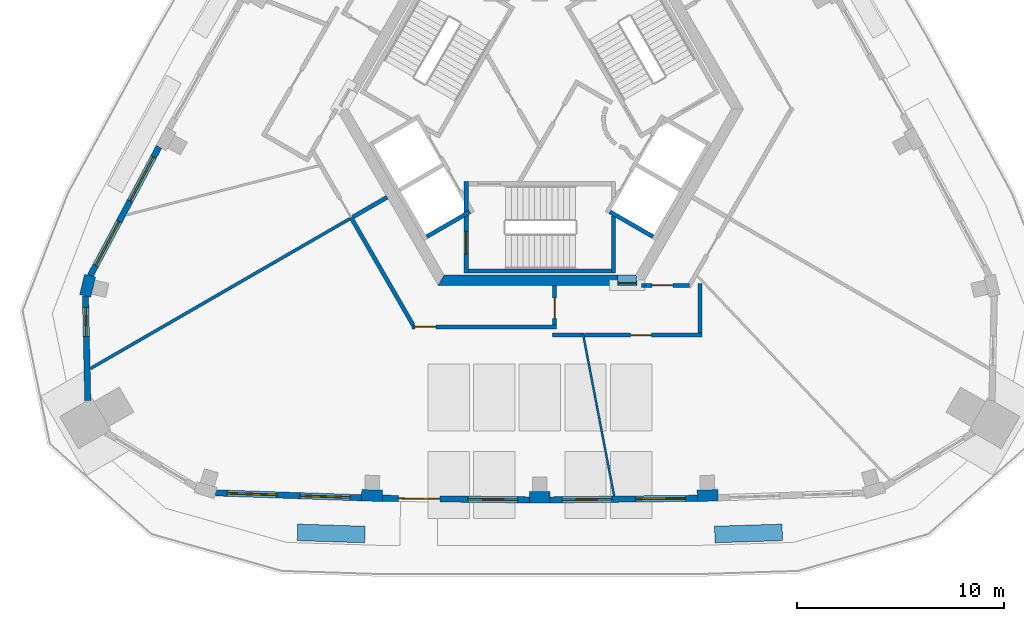
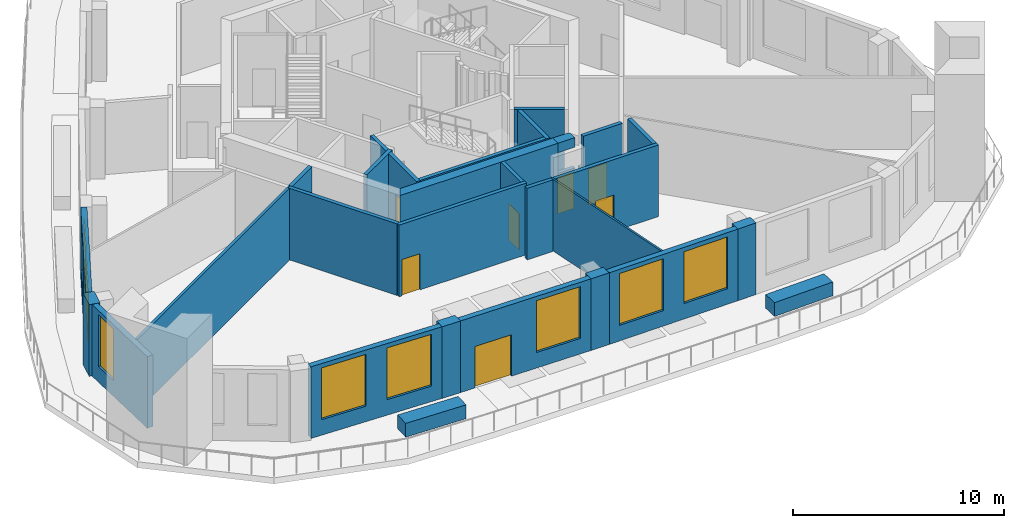
# One storey, part 2 of 9: 30 walls, 8 windows, 7 doors, 15 openings.
"""IFC4 building model written with IfcOpenShell, lengths in metres."""

from ifc_helpers import new_model, si_unit, direction, frame, frame_2d, origin, place, context, subcontext, project, spatial, polyline, rectangle, outline, extrude, material, layer, layer_set, type_object, element, fill, save


model = new_model("IFC4")

# Units and contexts
model_context = context("Model", 3, precision=1e-05, world=origin(), true_north=direction((0.0, 1.0)))
body_context = subcontext(model_context, "Body", "Model", "MODEL_VIEW")
ifc_project = project(units=[si_unit("LENGTHUNIT", "METRE"), si_unit("AREAUNIT", "SQUARE_METRE"), si_unit("VOLUMEUNIT", "CUBIC_METRE"), si_unit("PLANEANGLEUNIT", "RADIAN"), si_unit("MASSUNIT", "GRAM", prefix="KILO")], contexts=[model_context])

# Site, building, storey
site_placement = place(None, origin())
site = spatial("IfcSite", under=ifc_project, at=site_placement, CompositionType="ELEMENT")
building_placement = place(site_placement, origin())
building = spatial("IfcBuilding", under=site, at=building_placement, Name="Entoto Arch Interchange Tower", CompositionType="ELEMENT")
storey_placement = place(building_placement, frame((0.0, 0.0, 331.39990234375)))
storey = spatial("IfcBuildingStorey", under=building, at=storey_placement, Name="L78", CompositionType="ELEMENT", Elevation=331.39990234375)

# Wall, opening, door
ifc_material_1 = material(Name="Reinforced concrete C40/50", Category="concrete")
ifc_layer_1 = layer(ifc_material_1, 0.199951171875)
ifc_layer_set_1 = layer_set([ifc_layer_1], Name="Reinforced concrete C40/50")
wall_type_1 = type_object("IfcWallType", Name="CORE GAP INFILL WALL", PredefinedType="PARTITIONING", material=ifc_layer_set_1)
wall_1_placement = place(storey_placement, frame((3.75, -5.89990234375, 0.0), z_axis=(0.0, 0.0, 1.0), x_axis=(1.0, 0.0, 0.0)))
wall_1 = element("IfcWall", 1, at=wall_1_placement, inside=storey, type_object=wall_type_1, Name="wall:L78:gap1", PredefinedType="PARTITIONING", context=body_context, shape_type="SweptSolid", body=[
    extrude(rectangle(XDim=0.926025390625, YDim=0.199951171875, at=frame_2d((0.462890625, 0.0))), origin(), (0.0, 0.0, 1.0), 2.400146484375),
])
opening_1_placement = place(wall_1_placement, frame((0.01708984375, 0.0, 0.0)))
opening_1 = element("IfcOpeningElement", 2, at=opening_1_placement, cuts=wall_1, Name="Opening L78-D91", PredefinedType="OPENING", context=body_context, shape_type="SweptSolid", body=[
    extrude(rectangle(XDim=0.89990234375, YDim=2.10009765625, at=frame_2d((0.449951171875, 1.050048828125))), frame((0.0, 0.10986328125, 0.0), z_axis=(0.0, -1.0, 0.0), x_axis=(1.0, 0.0, 0.0)), (0.0, 0.0, 1.0), 0.219970703125),
])
ifc_material_2 = material(Name="Fire-rated Steel S235 door and frame", Category="steel")
door_type_1 = type_object("IfcDoorType", Name="DOOR FD-09 900x2100", OperationType="SINGLE_SWING_LEFT", PredefinedType="DOOR", material=ifc_material_2)
door_1_placement = place(opening_1_placement, origin())
door_1 = element("IfcDoor", 3, at=door_1_placement, inside=storey, type_object=door_type_1, Name="door:L78:gap1", OperationType="SINGLE_SWING_LEFT", OverallHeight=2.10009765625, OverallWidth=0.89990234375, PredefinedType="DOOR", context=body_context, shape_type="SweptSolid", body=[
    extrude(rectangle(XDim=0.89990234375, YDim=2.10009765625, at=frame_2d((0.449951171875, 1.050048828125))), frame((0.0, 0.02490234375, 0.0), z_axis=(0.0, -1.0, 0.0), x_axis=(1.0, 0.0, 0.0)), (0.0, 0.0, 1.0), 0.050048828125),
])
fill(opening_1, door_1)

# Walls
ifc_material_3 = material(Name="Concrete C40/50", Category="concrete")
ifc_layer_2 = layer(ifc_material_3, 0.5)
ifc_layer_set_2 = layer_set([ifc_layer_2], Name="Concrete C40/50")
wall_type_2 = type_object("IfcWallType", Name="Core wall 500 C40/50", PredefinedType="SHEAR", material=ifc_layer_set_2)
wall_2_placement = place(storey_placement, frame((0.0, 0.0, -0.449951171875)))
element("IfcWall", 4, at=wall_2_placement, inside=storey, type_object=wall_type_2, Name="Core wall S L78", PredefinedType="SHEAR", context=body_context, shape_type="SweptSolid", body=[
    extrude(outline(polyline([(3.75, -6.0), (3.75, -5.5), (-4.618896484375, -5.5), (-4.906982421875, -6.0), (3.75, -6.0)])), origin(), (0.0, 0.0, 1.0), 4.60009765625),
])
wall_3_placement = place(storey_placement, frame((0.0, 0.0, 3.60009765625)))
element("IfcWall", 5, at=wall_3_placement, inside=storey, type_object=wall_type_2, Name="Core wall lintel S L78", PredefinedType="SHEAR", context=body_context, shape_type="SweptSolid", body=[
    extrude(outline(polyline([(4.676025390625, -6.0), (4.676025390625, -5.60009765625), (4.618896484375, -5.5), (3.75, -5.5), (3.75, -6.0), (4.676025390625, -6.0)])), origin(), (0.0, 0.0, 1.0), 0.550048828125),
])
ifc_layer_3 = layer(ifc_material_3, 0.199951171875)
ifc_layer_set_3 = layer_set([ifc_layer_3], Name="Concrete C40/50")
wall_type_3 = type_object("IfcWallType", Name="LIFT SHAFT WALL 200", PredefinedType="STANDARD", material=ifc_layer_set_3)
for number, where, z_axis, x_axis, name in (
    (6, (-3.376953125, -2.451904296875, 0.0), (0.0, 0.0, 1.0), (-0.865955154139, -0.50012165622, 0.0), "Shaft wall SW1 cross 3"),
    (7, (3.376953125, -2.451904296875, 0.0), (0.0, 0.0, 1.0), (0.865955154139, -0.50012165622, 0.0), "Shaft wall SE1 cross 1"),
):
    element("IfcWall", number, at=place(storey_placement, frame(where, z_axis=z_axis, x_axis=x_axis)), inside=storey, type_object=wall_type_3, Name=name, PredefinedType="STANDARD", context=body_context, shape_type="SweptSolid", body=[
        extrude(rectangle(XDim=2.39990234375, YDim=0.199951171875, at=frame_2d((1.199951171875, 0.0))), origin(), (0.0, 0.0, 1.0), 4.150146484375),
    ])
ifc_material_4 = material(Name="Gypsum board partition on steel studs", Category="steel")
ifc_layer_4 = layer(ifc_material_4, 0.10009765625)
ifc_layer_set_4 = layer_set([ifc_layer_4], Name="Gypsum board partition on steel studs")
wall_type_4 = type_object("IfcWallType", Name="PARTITION 100", PredefinedType="PARTITIONING", material=ifc_layer_set_4)
wall_4_placement = place(storey_placement, frame((3.5810546875, -16.158935546875, 0.0), z_axis=(0.0, 0.0, 1.0), x_axis=(-0.188498774051, 0.982073425046, 0.0)))
element("IfcWall", 8, at=wall_4_placement, inside=storey, type_object=wall_type_4, Name="wall:L78:p023", PredefinedType="PARTITIONING", context=body_context, shape_type="SweptSolid", body=[
    extrude(rectangle(XDim=8.000244140625, YDim=0.10009765625, at=frame_2d((4.0, 0.0))), origin(), (0.0, 0.0, 1.0), 4.150146484375),
])
ifc_layer_5 = layer(ifc_material_4, 0.14990234375)
ifc_layer_set_5 = layer_set([ifc_layer_5], Name="Gypsum board partition on steel studs")
wall_type_5 = type_object("IfcWallType", Name="PARTITION 150", PredefinedType="PARTITIONING", material=ifc_layer_set_5)
wall_5_placement = place(storey_placement, frame((-21.679931640625, -10.01806640625, 0.0), z_axis=(0.0, 0.0, 1.0), x_axis=(0.865999449672, 0.500044951147, 0.0)))
element("IfcWall", 9, at=wall_5_placement, inside=storey, type_object=wall_type_5, Name="wall:L78:p025", PredefinedType="PARTITIONING", context=body_context, shape_type="SweptSolid", body=[
    extrude(rectangle(XDim=14.635009765625, YDim=0.14990234375, at=frame_2d((7.3173828125, 0.0))), origin(), (0.0, 0.0, 1.0), 4.150146484375),
])

# Wall, opening, door
ifc_layer_6 = layer(ifc_material_4, 0.199951171875)
ifc_layer_set_6 = layer_set([ifc_layer_6], Name="Gypsum board partition on steel studs")
wall_type_6 = type_object("IfcWallType", Name="PARTITION 200", PredefinedType="PARTITIONING", material=ifc_layer_set_6)
wall_6_placement = place(storey_placement, frame((0.712890625, -7.89990234375, 0.0), z_axis=(0.0, 0.0, 1.0), x_axis=(0.0, 1.0, 0.0)))
wall_6 = element("IfcWall", 10, at=wall_6_placement, inside=storey, type_object=wall_type_6, Name="wall:L78:p013", PredefinedType="PARTITIONING", context=body_context, shape_type="SweptSolid", body=[
    extrude(rectangle(XDim=1.89990234375, YDim=0.199951171875, at=frame_2d((0.949951171875, 0.0))), origin(), (0.0, 0.0, 1.0), 4.150146484375),
])
opening_2_placement = place(wall_6_placement, frame((0.300048828125, 0.0, 0.0)))
opening_2 = element("IfcOpeningElement", 11, at=opening_2_placement, cuts=wall_6, Name="Opening L78-D01", PredefinedType="OPENING", context=body_context, shape_type="SweptSolid", body=[
    extrude(rectangle(XDim=1.0, YDim=2.10009765625, at=frame_2d((0.5, 1.050048828125))), frame((0.0, 0.10986328125, 0.0), z_axis=(0.0, -1.0, 0.0), x_axis=(1.0, 0.0, 0.0)), (0.0, 0.0, 1.0), 0.219970703125),
])
door_type_2 = type_object("IfcDoorType", Name="DOOR FD-10 1000x2100", OperationType="SINGLE_SWING_LEFT", PredefinedType="DOOR", material=ifc_material_2)
door_2_placement = place(opening_2_placement, origin())
door_2 = element("IfcDoor", 12, at=door_2_placement, inside=storey, type_object=door_type_2, Name="door:L78:01", OperationType="SINGLE_SWING_LEFT", OverallHeight=2.10009765625, OverallWidth=1.0, PredefinedType="DOOR", context=body_context, shape_type="SweptSolid", body=[
    extrude(rectangle(XDim=1.0, YDim=2.10009765625, at=frame_2d((0.5, 1.050048828125))), frame((0.0, 0.02490234375, 0.0), z_axis=(0.0, -1.0, 0.0), x_axis=(1.0, 0.0, 0.0)), (0.0, 0.0, 1.0), 0.050048828125),
])
fill(opening_2, door_2)

# Wall
wall_7_placement = place(storey_placement, frame((4.906982421875, -6.0, 0.0), z_axis=(0.0, 0.0, 1.0), x_axis=(1.0, 0.0, 0.0)))
element("IfcWall", 13, at=wall_7_placement, inside=storey, type_object=wall_type_6, Name="wall:L78:p014", PredefinedType="PARTITIONING", context=body_context, shape_type="SweptSolid", body=[
    extrude(rectangle(XDim=0.1689453125, YDim=0.199951171875, at=frame_2d((0.08447265625, 0.0))), origin(), (0.0, 0.0, 1.0), 2.400146484375),
])

# Wall, opening, door
wall_8_placement = place(storey_placement, frame((7.81298828125, -8.39990234375, 0.0), z_axis=(0.0, 0.0, 1.0), x_axis=(-1.0, 0.0, 0.0)))
wall_8 = element("IfcWall", 14, at=wall_8_placement, inside=storey, type_object=wall_type_6, Name="wall:L78:p015", PredefinedType="PARTITIONING", context=body_context, shape_type="SweptSolid", body=[
    extrude(rectangle(XDim=5.6708984375, YDim=0.199951171875, at=frame_2d((2.83544921875, 0.0))), origin(), (0.0, 0.0, 1.0), 4.150146484375),
])
opening_3_placement = place(wall_8_placement, frame((2.44091796875, 0.0, 0.0)))
opening_3 = element("IfcOpeningElement", 15, at=opening_3_placement, cuts=wall_8, Name="Opening L78-D03", PredefinedType="OPENING", context=body_context, shape_type="SweptSolid", body=[
    extrude(rectangle(XDim=1.0, YDim=2.10009765625, at=frame_2d((0.5, 1.050048828125))), frame((0.0, 0.10986328125, 0.0), z_axis=(0.0, -1.0, 0.0), x_axis=(1.0, 0.0, 0.0)), (0.0, 0.0, 1.0), 0.219970703125),
])
door_3_placement = place(opening_3_placement, origin())
door_3 = element("IfcDoor", 16, at=door_3_placement, inside=storey, type_object=door_type_2, Name="door:L78:03", OperationType="SINGLE_SWING_LEFT", OverallHeight=2.10009765625, OverallWidth=1.0, PredefinedType="DOOR", context=body_context, shape_type="SweptSolid", body=[
    extrude(rectangle(XDim=1.0, YDim=2.10009765625, at=frame_2d((0.5, 1.050048828125))), frame((0.0, 0.02490234375, 0.0), z_axis=(0.0, -1.0, 0.0), x_axis=(1.0, 0.0, 0.0)), (0.0, 0.0, 1.0), 0.050048828125),
])
fill(opening_3, door_3)

# Walls
wall_9_placement = place(storey_placement, frame((7.712890625, -5.89990234375, 0.0), z_axis=(0.0, 0.0, 1.0), x_axis=(0.0, -1.0, 0.0)))
element("IfcWall", 17, at=wall_9_placement, inside=storey, type_object=wall_type_6, Name="wall:L78:p016", PredefinedType="PARTITIONING", context=body_context, shape_type="SweptSolid", body=[
    extrude(rectangle(XDim=2.400146484375, YDim=0.199951171875, at=frame_2d((1.2001953125, 0.0))), origin(), (0.0, 0.0, 1.0), 4.150146484375),
])
wall_10_placement = place(storey_placement, frame((2.0419921875, -8.39990234375, 0.0), z_axis=(0.0, 0.0, 1.0), x_axis=(-1.0, 0.0, 0.0)))
element("IfcWall", 18, at=wall_10_placement, inside=storey, type_object=wall_type_6, Name="wall:L78:p017", PredefinedType="PARTITIONING", context=body_context, shape_type="SweptSolid", body=[
    extrude(rectangle(XDim=1.428955078125, YDim=0.199951171875, at=frame_2d((0.71435546875, 0.0))), origin(), (0.0, 0.0, 1.0), 4.150146484375),
])

# Wall, opening, door
wall_11_placement = place(storey_placement, frame((0.81298828125, -8.0, 0.0), z_axis=(0.0, 0.0, 1.0), x_axis=(-1.0, 0.0, 0.0)))
wall_11 = element("IfcWall", 19, at=wall_11_placement, inside=storey, type_object=wall_type_6, Name="wall:L78:p018", PredefinedType="PARTITIONING", context=body_context, shape_type="SweptSolid", body=[
    extrude(rectangle(XDim=6.97509765625, YDim=0.199951171875, at=frame_2d((3.487548828125, 0.0))), origin(), (0.0, 0.0, 1.0), 4.150146484375),
])
opening_4_placement = place(wall_11_placement, frame((5.824951171875, 0.0, 0.0)))
opening_4 = element("IfcOpeningElement", 20, at=opening_4_placement, cuts=wall_11, Name="Opening L78-D04", PredefinedType="OPENING", context=body_context, shape_type="SweptSolid", body=[
    extrude(rectangle(XDim=1.0, YDim=2.10009765625, at=frame_2d((0.5, 1.050048828125))), frame((0.0, 0.10986328125, 0.0), z_axis=(0.0, -1.0, 0.0), x_axis=(1.0, 0.0, 0.0)), (0.0, 0.0, 1.0), 0.219970703125),
])
ifc_material_5 = material(Name="Timber door leaf in Steel S235 frame", Category="steel")
door_type_3 = type_object("IfcDoorType", Name="DOOR DS-10 1000x2100", OperationType="SINGLE_SWING_LEFT", PredefinedType="DOOR", material=ifc_material_5)
door_4_placement = place(opening_4_placement, origin())
door_4 = element("IfcDoor", 21, at=door_4_placement, inside=storey, type_object=door_type_3, Name="door:L78:04", OperationType="SINGLE_SWING_RIGHT", OverallHeight=2.10009765625, OverallWidth=1.0, PredefinedType="DOOR", context=body_context, shape_type="SweptSolid", body=[
    extrude(rectangle(XDim=1.0, YDim=2.10009765625, at=frame_2d((0.5, 1.050048828125))), frame((0.0, 0.02490234375, 0.0), z_axis=(0.0, -1.0, 0.0), x_axis=(1.0, 0.0, 0.0)), (0.0, 0.0, 1.0), 0.050048828125),
])
fill(opening_4, door_4)

# Walls
wall_12_placement = place(storey_placement, frame((-6.112060546875, -7.9130859375, 0.0), z_axis=(0.0, 0.0, 1.0), x_axis=(-0.499915430684, 0.866074224396, 0.0)))
element("IfcWall", 22, at=wall_12_placement, inside=storey, type_object=wall_type_6, Name="wall:L78:p019", PredefinedType="PARTITIONING", context=body_context, shape_type="SweptSolid", body=[
    extrude(rectangle(XDim=5.98681640625, YDim=0.199951171875, at=frame_2d((2.993408203125, 0.0))), origin(), (0.0, 0.0, 1.0), 4.150146484375),
])
wall_13_placement = place(storey_placement, frame((-9.006103515625, -2.699951171875, 0.0), z_axis=(0.0, 0.0, 1.0), x_axis=(0.865980106173, 0.500078449558, 0.0)))
element("IfcWall", 23, at=wall_13_placement, inside=storey, type_object=wall_type_6, Name="wall:L78:p020", PredefinedType="PARTITIONING", context=body_context, shape_type="SweptSolid", body=[
    extrude(rectangle(XDim=1.899658203125, YDim=0.199951171875, at=frame_2d((0.94970703125, 0.0))), origin(), (0.0, 0.0, 1.0), 4.150146484375),
])

# Wall, opening, door
wall_14_placement = place(storey_placement, frame((5.075927734375, -6.0, 0.0), z_axis=(0.0, 0.0, 1.0), x_axis=(1.0, 0.0, 0.0)))
wall_14 = element("IfcWall", 24, at=wall_14_placement, inside=storey, type_object=wall_type_6, Name="wall:L78:p014", PredefinedType="PARTITIONING", context=body_context, shape_type="SweptSolid", body=[
    extrude(rectangle(XDim=2.14013671875, YDim=0.199951171875, at=frame_2d((1.070068359375, 0.0))), origin(), (0.0, 0.0, 1.0), 4.150146484375),
])
opening_5_placement = place(wall_14_placement, frame((0.3359375, 0.0, 0.0)))
opening_5 = element("IfcOpeningElement", 25, at=opening_5_placement, cuts=wall_14, Name="Opening L78-D02", PredefinedType="OPENING", context=body_context, shape_type="SweptSolid", body=[
    extrude(rectangle(XDim=1.0, YDim=2.10009765625, at=frame_2d((0.5, 1.050048828125))), frame((0.0, 0.10986328125, 0.0), z_axis=(0.0, -1.0, 0.0), x_axis=(1.0, 0.0, 0.0)), (0.0, 0.0, 1.0), 0.219970703125),
])
door_5_placement = place(opening_5_placement, origin())
door_5 = element("IfcDoor", 26, at=door_5_placement, inside=storey, type_object=door_type_2, Name="door:L78:02", OperationType="SINGLE_SWING_RIGHT", OverallHeight=2.10009765625, OverallWidth=1.0, PredefinedType="DOOR", context=body_context, shape_type="SweptSolid", body=[
    extrude(rectangle(XDim=1.0, YDim=2.10009765625, at=frame_2d((0.5, 1.050048828125))), frame((0.0, 0.02490234375, 0.0), z_axis=(0.0, -1.0, 0.0), x_axis=(1.0, 0.0, 0.0)), (0.0, 0.0, 1.0), 0.050048828125),
])
fill(opening_5, door_5)

# Walls
ifc_material_6 = material(Name="Board-marked precast concrete C50/60", Category="concrete")
ifc_layer_7 = layer(ifc_material_6, 0.800048828125)
ifc_layer_set_7 = layer_set([ifc_layer_7], Name="Board-marked precast concrete C50/60")
wall_type_7 = type_object("IfcWallType", Name="PLANTER RC 800 Afrocarpus falcatus", PredefinedType="STANDARD", material=ifc_layer_set_7)
wall_15_placement = place(storey_placement, frame((-11.68701171875, -17.908935546875, 0.0), z_axis=(0.0, 0.0, 1.0), x_axis=(0.999489274964, -0.031956051571, 0.0)))
element("IfcWall", 27, at=wall_15_placement, inside=storey, type_object=wall_type_7, Name="Terrace planter S-01 L78", PredefinedType="STANDARD", context=body_context, shape_type="SweptSolid", body=[
    extrude(rectangle(XDim=3.254638671875, YDim=0.800048828125, at=frame_2d((1.62744140625, 0.0))), origin(), (0.0, 0.0, 1.0), 0.800048828125),
])
ifc_layer_8 = layer(ifc_material_6, 0.800048828125)
ifc_layer_set_8 = layer_set([ifc_layer_8], Name="Board-marked precast concrete C50/60")
wall_type_8 = type_object("IfcWallType", Name="PLANTER RC 800 Vachellia abyssinica", PredefinedType="STANDARD", material=ifc_layer_set_8)
wall_16_placement = place(storey_placement, frame((8.43408203125, -18.012939453125, 0.0), z_axis=(0.0, 0.0, 1.0), x_axis=(0.999489274964, 0.031956051571, 0.0)))
element("IfcWall", 28, at=wall_16_placement, inside=storey, type_object=wall_type_8, Name="Terrace planter S-03 L78", PredefinedType="STANDARD", context=body_context, shape_type="SweptSolid", body=[
    extrude(rectangle(XDim=3.254638671875, YDim=0.800048828125, at=frame_2d((1.62744140625, 0.0))), origin(), (0.0, 0.0, 1.0), 0.800048828125),
])

# Wall, opening, door
ifc_layer_9 = layer(ifc_material_3, 0.199951171875)
ifc_layer_set_9 = layer_set([ifc_layer_9], Name="Concrete C40/50")
wall_type_9 = type_object("IfcWallType", Name="STAIR ENCLOSURE WALL 200", PredefinedType="STANDARD", material=ifc_layer_set_9)
wall_17_placement = place(storey_placement, frame((-3.550048828125, -1.0, 0.0), z_axis=(0.0, 0.0, 1.0), x_axis=(0.0, -1.0, 0.0)))
wall_17 = element("IfcWall", 29, at=wall_17_placement, inside=storey, type_object=wall_type_9, Name="Stair wall ST-S near", PredefinedType="STANDARD", context=body_context, shape_type="SweptSolid", body=[
    extrude(rectangle(XDim=4.39990234375, YDim=0.199951171875, at=frame_2d((2.199951171875, 0.0))), origin(), (0.0, 0.0, 1.0), 4.150146484375),
])
opening_6_placement = place(wall_17_placement, frame((2.39990234375, 0.0, 0.0)))
opening_6 = element("IfcOpeningElement", 30, at=opening_6_placement, cuts=wall_17, Name="Opening SD-ST-S-L78-E", PredefinedType="OPENING", context=body_context, shape_type="SweptSolid", body=[
    extrude(rectangle(XDim=1.10009765625, YDim=2.199951171875, at=frame_2d((0.550048828125, 1.10009765625))), frame((0.0, 0.10986328125, 0.0), z_axis=(0.0, -1.0, 0.0), x_axis=(1.0, 0.0, 0.0)), (0.0, 0.0, 1.0), 0.219970703125),
])
ifc_material_7 = material(Name="Steel S235", Category="steel")
door_type_4 = type_object("IfcDoorType", Name="STAIR DOOR SD1 1100x2200", OperationType="SINGLE_SWING_LEFT", PredefinedType="DOOR", material=ifc_material_7)
door_6_placement = place(opening_6_placement, origin())
door_6 = element("IfcDoor", 31, at=door_6_placement, inside=storey, type_object=door_type_4, Name="Stair door ST-S L78 end", OperationType="SINGLE_SWING_LEFT", OverallHeight=2.199951171875, OverallWidth=1.10009765625, PredefinedType="DOOR", context=body_context, shape_type="SweptSolid", body=[
    extrude(rectangle(XDim=1.10009765625, YDim=2.199951171875, at=frame_2d((0.550048828125, 1.10009765625))), frame((0.0, 0.02490234375, 0.0), z_axis=(0.0, -1.0, 0.0), x_axis=(1.0, 0.0, 0.0)), (0.0, 0.0, 1.0), 0.050048828125),
])
fill(opening_6, door_6)

# Walls
wall_18_placement = place(storey_placement, frame((3.550048828125, -2.6669921875, 0.0), z_axis=(0.0, 0.0, 1.0), x_axis=(0.0, -1.0, 0.0)))
element("IfcWall", 32, at=wall_18_placement, inside=storey, type_object=wall_type_9, Name="Stair wall ST-S far", PredefinedType="STANDARD", context=body_context, shape_type="SweptSolid", body=[
    extrude(rectangle(XDim=2.73291015625, YDim=0.199951171875, at=frame_2d((1.366455078125, 0.0))), origin(), (0.0, 0.0, 1.0), 4.150146484375),
])
wall_19_placement = place(storey_placement, frame((-3.449951171875, -5.300048828125, 0.0), z_axis=(0.0, 0.0, 1.0), x_axis=(1.0, 0.0, 0.0)))
element("IfcWall", 33, at=wall_19_placement, inside=storey, type_object=wall_type_9, Name="Stair wall ST-S back", PredefinedType="STANDARD", context=body_context, shape_type="SweptSolid", body=[
    extrude(rectangle(XDim=6.89990234375, YDim=0.199951171875, at=frame_2d((3.449951171875, 0.0))), origin(), (0.0, 0.0, 1.0), 4.150146484375),
])

# Wall, openings, windows
ifc_material_8 = material(Name="Welded tuff (ignimbrite) cladding, warm buff", Category="masonry")
ifc_layer_10 = layer(ifc_material_8, 0.300048828125)
ifc_layer_set_10 = layer_set([ifc_layer_10], Name="Welded tuff (ignimbrite) cladding, warm buff")
wall_type_10 = type_object("IfcWallType", Name="STONE INFILL WALL 300", PredefinedType="STANDARD", material=ifc_layer_set_10)
wall_20_placement = place(storey_placement, frame((-15.633056640625, -16.0048828125, 0.0), z_axis=(0.0, 0.0, 1.0), x_axis=(0.999433696929, -0.033649449366, 0.0)))
wall_20 = element("IfcWall", 34, at=wall_20_placement, inside=storey, type_object=wall_type_10, Name="Facade wall S-01 L78", PredefinedType="STANDARD", context=body_context, shape_type="SweptSolid", body=[
    extrude(rectangle(XDim=7.044921875, YDim=0.300048828125, at=frame_2d((3.5224609375, 0.0))), origin(), (0.0, 0.0, 1.0), 4.150146484375),
])
opening_7_placement = place(wall_20_placement, frame((0.56103515625, 0.0, 0.89990234375)))
opening_7 = element("IfcOpeningElement", 35, at=opening_7_placement, cuts=wall_20, Name="Opening WK-A", PredefinedType="OPENING", context=body_context, shape_type="SweptSolid", body=[
    extrude(rectangle(XDim=2.39990234375, YDim=3.0, at=frame_2d((1.199951171875, 1.5))), frame((0.0, 0.16015625, 0.0), z_axis=(0.0, -1.0, 0.0), x_axis=(1.0, 0.0, 0.0)), (0.0, 0.0, 1.0), 0.320068359375),
])
opening_8_placement = place(wall_20_placement, frame((4.083984375, 0.0, 0.89990234375)))
opening_8 = element("IfcOpeningElement", 36, at=opening_8_placement, cuts=wall_20, Name="Opening WK-A", PredefinedType="OPENING", context=body_context, shape_type="SweptSolid", body=[
    extrude(rectangle(XDim=2.39990234375, YDim=3.0, at=frame_2d((1.199951171875, 1.5))), frame((0.0, 0.16015625, 0.0), z_axis=(0.0, -1.0, 0.0), x_axis=(1.0, 0.0, 0.0)), (0.0, 0.0, 1.0), 0.320068359375),
])
ifc_material_9 = material(Name="Clear glass, low-e double glazed", Category="glass")
window_type_1 = type_object("IfcWindowType", Name="WINDOW WK-A 2400x3000", PartitioningType="DOUBLE_PANEL_VERTICAL", PredefinedType="WINDOW", material=ifc_material_9)
window_1_placement = place(opening_7_placement, origin())
window_1 = element("IfcWindow", 37, at=window_1_placement, inside=storey, type_object=window_type_1, Name="Window WK-A S-01 L78", OverallHeight=3.0, OverallWidth=2.39990234375, PartitioningType="SINGLE_PANEL", PredefinedType="WINDOW", context=body_context, shape_type="SweptSolid", body=[
    extrude(rectangle(XDim=2.39990234375, YDim=3.0, at=frame_2d((1.199951171875, 1.5))), frame((0.0, 0.030029296875, 0.0), z_axis=(0.0, -1.0, 0.0), x_axis=(1.0, 0.0, 0.0)), (0.0, 0.0, 1.0), 0.06005859375),
])
fill(opening_7, window_1)
window_2_placement = place(opening_8_placement, origin())
window_2 = element("IfcWindow", 38, at=window_2_placement, inside=storey, type_object=window_type_1, Name="Window WK-A S-01 L78", OverallHeight=3.0, OverallWidth=2.39990234375, PartitioningType="SINGLE_PANEL", PredefinedType="WINDOW", context=body_context, shape_type="SweptSolid", body=[
    extrude(rectangle(XDim=2.39990234375, YDim=3.0, at=frame_2d((1.199951171875, 1.5))), frame((0.0, 0.030029296875, 0.0), z_axis=(0.0, -1.0, 0.0), x_axis=(1.0, 0.0, 0.0)), (0.0, 0.0, 1.0), 0.06005859375),
])
fill(opening_8, window_2)

# Wall, openings, door, window
wall_21_placement = place(storey_placement, frame((-7.594970703125, -16.264892578125, 0.0), z_axis=(0.0, 0.0, 1.0), x_axis=(0.999937873213, -0.011146735624, 0.0)))
wall_21 = element("IfcWall", 39, at=wall_21_placement, inside=storey, type_object=wall_type_10, Name="Facade wall S-02 L78", PredefinedType="STANDARD", context=body_context, shape_type="SweptSolid", body=[
    extrude(rectangle(XDim=7.096435546875, YDim=0.300048828125, at=frame_2d((3.54833984375, 0.0))), origin(), (0.0, 0.0, 1.0), 4.150146484375),
])
opening_9_placement = place(wall_21_placement, frame((0.77392578125, 0.0, 0.0)))
opening_9 = element("IfcOpeningElement", 40, at=opening_9_placement, cuts=wall_21, Name="Opening DT-S-02-L78", PredefinedType="OPENING", context=body_context, shape_type="SweptSolid", body=[
    extrude(rectangle(XDim=2.0, YDim=2.39990234375, at=frame_2d((1.0, 1.199951171875))), frame((0.0, 0.16015625, 0.0), z_axis=(0.0, -1.0, 0.0), x_axis=(1.0, 0.0, 0.0)), (0.0, 0.0, 1.0), 0.320068359375),
])
opening_10_placement = place(wall_21_placement, frame((4.1220703125, 0.0, 0.89990234375)))
opening_10 = element("IfcOpeningElement", 41, at=opening_10_placement, cuts=wall_21, Name="Opening WK-A", PredefinedType="OPENING", context=body_context, shape_type="SweptSolid", body=[
    extrude(rectangle(XDim=2.39990234375, YDim=3.0, at=frame_2d((1.199951171875, 1.5))), frame((0.0, 0.16015625, 0.0), z_axis=(0.0, -1.0, 0.0), x_axis=(1.0, 0.0, 0.0)), (0.0, 0.0, 1.0), 0.320068359375),
])
ifc_material_10 = material(Name="Aluminium and clear glass, anodised", Category="aluminium")
door_type_5 = type_object("IfcDoorType", Name="TERRACE DOOR DT 2000x2400", OperationType="SLIDING_TO_LEFT", PredefinedType="DOOR", material=ifc_material_10)
door_7_placement = place(opening_9_placement, origin())
door_7 = element("IfcDoor", 42, at=door_7_placement, inside=storey, type_object=door_type_5, Name="Terrace door S-02 L78", OperationType="SLIDING_TO_LEFT", OverallHeight=2.39990234375, OverallWidth=2.0, PredefinedType="DOOR", context=body_context, shape_type="SweptSolid", body=[
    extrude(rectangle(XDim=2.0, YDim=2.39990234375, at=frame_2d((1.0, 1.199951171875))), frame((0.0, 0.02490234375, 0.0), z_axis=(0.0, -1.0, 0.0), x_axis=(1.0, 0.0, 0.0)), (0.0, 0.0, 1.0), 0.050048828125),
])
fill(opening_9, door_7)
window_3_placement = place(opening_10_placement, origin())
window_3 = element("IfcWindow", 43, at=window_3_placement, inside=storey, type_object=window_type_1, Name="Window WK-A S-02 L78", OverallHeight=3.0, OverallWidth=2.39990234375, PartitioningType="SINGLE_PANEL", PredefinedType="WINDOW", context=body_context, shape_type="SweptSolid", body=[
    extrude(rectangle(XDim=2.39990234375, YDim=3.0, at=frame_2d((1.199951171875, 1.5))), frame((0.0, 0.030029296875, 0.0), z_axis=(0.0, -1.0, 0.0), x_axis=(1.0, 0.0, 0.0)), (0.0, 0.0, 1.0), 0.06005859375),
])
fill(opening_10, window_3)

# Wall, openings, windows
wall_22_placement = place(storey_placement, frame((0.4990234375, -16.343994140625, 0.0), z_axis=(0.0, 0.0, 1.0), x_axis=(0.999937873213, 0.011146735624, 0.0)))
wall_22 = element("IfcWall", 44, at=wall_22_placement, inside=storey, type_object=wall_type_10, Name="Facade wall S-03 L78", PredefinedType="STANDARD", context=body_context, shape_type="SweptSolid", body=[
    extrude(rectangle(XDim=7.096435546875, YDim=0.300048828125, at=frame_2d((3.54833984375, 0.0))), origin(), (0.0, 0.0, 1.0), 4.150146484375),
])
opening_11_placement = place(wall_22_placement, frame((0.573974609375, 0.0, 0.89990234375)))
opening_11 = element("IfcOpeningElement", 45, at=opening_11_placement, cuts=wall_22, Name="Opening WK-A", PredefinedType="OPENING", context=body_context, shape_type="SweptSolid", body=[
    extrude(rectangle(XDim=2.39990234375, YDim=3.0, at=frame_2d((1.199951171875, 1.5))), frame((0.0, 0.16015625, 0.0), z_axis=(0.0, -1.0, 0.0), x_axis=(1.0, 0.0, 0.0)), (0.0, 0.0, 1.0), 0.320068359375),
])
opening_12_placement = place(wall_22_placement, frame((4.1220703125, 0.0, 0.89990234375)))
opening_12 = element("IfcOpeningElement", 46, at=opening_12_placement, cuts=wall_22, Name="Opening WK-A", PredefinedType="OPENING", context=body_context, shape_type="SweptSolid", body=[
    extrude(rectangle(XDim=2.39990234375, YDim=3.0, at=frame_2d((1.199951171875, 1.5))), frame((0.0, 0.16015625, 0.0), z_axis=(0.0, -1.0, 0.0), x_axis=(1.0, 0.0, 0.0)), (0.0, 0.0, 1.0), 0.320068359375),
])
window_4_placement = place(opening_11_placement, origin())
window_4 = element("IfcWindow", 47, at=window_4_placement, inside=storey, type_object=window_type_1, Name="Window WK-A S-03 L78", OverallHeight=3.0, OverallWidth=2.39990234375, PartitioningType="SINGLE_PANEL", PredefinedType="WINDOW", context=body_context, shape_type="SweptSolid", body=[
    extrude(rectangle(XDim=2.39990234375, YDim=3.0, at=frame_2d((1.199951171875, 1.5))), frame((0.0, 0.030029296875, 0.0), z_axis=(0.0, -1.0, 0.0), x_axis=(1.0, 0.0, 0.0)), (0.0, 0.0, 1.0), 0.06005859375),
])
fill(opening_11, window_4)
window_5_placement = place(opening_12_placement, origin())
window_5 = element("IfcWindow", 48, at=window_5_placement, inside=storey, type_object=window_type_1, Name="Window WK-A S-03 L78", OverallHeight=3.0, OverallWidth=2.39990234375, PartitioningType="SINGLE_PANEL", PredefinedType="WINDOW", context=body_context, shape_type="SweptSolid", body=[
    extrude(rectangle(XDim=2.39990234375, YDim=3.0, at=frame_2d((1.199951171875, 1.5))), frame((0.0, 0.030029296875, 0.0), z_axis=(0.0, -1.0, 0.0), x_axis=(1.0, 0.0, 0.0)), (0.0, 0.0, 1.0), 0.06005859375),
])
fill(opening_12, window_5)

wall_23_placement = place(storey_placement, frame((-18.363037109375, 0.678955078125, 0.0), z_axis=(0.0, 0.0, 1.0), x_axis=(-0.470447918342, -0.882427762555, 0.0)))
wall_23 = element("IfcWall", 49, at=wall_23_placement, inside=storey, type_object=wall_type_10, Name="Facade wall NW-04 L78", PredefinedType="STANDARD", context=body_context, shape_type="SweptSolid", body=[
    extrude(rectangle(XDim=7.044189453125, YDim=0.300048828125, at=frame_2d((3.52197265625, 0.0))), origin(), (0.0, 0.0, 1.0), 4.150146484375),
])
opening_13_placement = place(wall_23_placement, frame((0.56103515625, 0.0, 0.89990234375)))
opening_13 = element("IfcOpeningElement", 50, at=opening_13_placement, cuts=wall_23, Name="Opening WK-A", PredefinedType="OPENING", context=body_context, shape_type="SweptSolid", body=[
    extrude(rectangle(XDim=2.39990234375, YDim=3.0, at=frame_2d((1.199951171875, 1.5))), frame((0.0, 0.16015625, 0.0), z_axis=(0.0, -1.0, 0.0), x_axis=(1.0, 0.0, 0.0)), (0.0, 0.0, 1.0), 0.320068359375),
])
opening_14_placement = place(wall_23_placement, frame((4.0830078125, 0.0, 0.89990234375)))
opening_14 = element("IfcOpeningElement", 51, at=opening_14_placement, cuts=wall_23, Name="Opening WK-A", PredefinedType="OPENING", context=body_context, shape_type="SweptSolid", body=[
    extrude(rectangle(XDim=2.39990234375, YDim=3.0, at=frame_2d((1.199951171875, 1.5))), frame((0.0, 0.16015625, 0.0), z_axis=(0.0, -1.0, 0.0), x_axis=(1.0, 0.0, 0.0)), (0.0, 0.0, 1.0), 0.320068359375),
])
window_6_placement = place(opening_13_placement, origin())
window_6 = element("IfcWindow", 52, at=window_6_placement, inside=storey, type_object=window_type_1, Name="Window WK-A NW-04 L78", OverallHeight=3.0, OverallWidth=2.39990234375, PartitioningType="SINGLE_PANEL", PredefinedType="WINDOW", context=body_context, shape_type="SweptSolid", body=[
    extrude(rectangle(XDim=2.39990234375, YDim=3.0, at=frame_2d((1.199951171875, 1.5))), frame((0.0, 0.030029296875, 0.0), z_axis=(0.0, -1.0, 0.0), x_axis=(1.0, 0.0, 0.0)), (0.0, 0.0, 1.0), 0.06005859375),
])
fill(opening_13, window_6)
window_7_placement = place(opening_14_placement, origin())
window_7 = element("IfcWindow", 53, at=window_7_placement, inside=storey, type_object=window_type_1, Name="Window WK-A NW-04 L78", OverallHeight=3.0, OverallWidth=2.39990234375, PartitioningType="SINGLE_PANEL", PredefinedType="WINDOW", context=body_context, shape_type="SweptSolid", body=[
    extrude(rectangle(XDim=2.39990234375, YDim=3.0, at=frame_2d((1.199951171875, 1.5))), frame((0.0, 0.030029296875, 0.0), z_axis=(0.0, -1.0, 0.0), x_axis=(1.0, 0.0, 0.0)), (0.0, 0.0, 1.0), 0.06005859375),
])
fill(opening_14, window_7)

# Wall, opening, window
wall_24_placement = place(storey_placement, frame((-21.908935546875, -6.508056640625, 0.0), z_axis=(0.0, 0.0, 1.0), x_axis=(0.022431960078, -0.999748371925, 0.0)))
wall_24 = element("IfcWall", 54, at=wall_24_placement, inside=storey, type_object=wall_type_10, Name="Facade wall SW-01 L78", PredefinedType="STANDARD", context=body_context, shape_type="SweptSolid", body=[
    extrude(rectangle(XDim=5.0390625, YDim=0.300048828125, at=frame_2d((2.51953125, 0.0))), origin(), (0.0, 0.0, 1.0), 4.150146484375),
])
opening_15_placement = place(wall_24_placement, frame((0.56005859375, 0.0, 0.89990234375)))
opening_15 = element("IfcOpeningElement", 55, at=opening_15_placement, cuts=wall_24, Name="Opening WK-B", PredefinedType="OPENING", context=body_context, shape_type="SweptSolid", body=[
    extrude(rectangle(XDim=1.39990234375, YDim=3.0, at=frame_2d((0.699951171875, 1.5))), frame((0.0, 0.16015625, 0.0), z_axis=(0.0, -1.0, 0.0), x_axis=(1.0, 0.0, 0.0)), (0.0, 0.0, 1.0), 0.320068359375),
])
window_type_2 = type_object("IfcWindowType", Name="WINDOW WK-B 1400x3000", PartitioningType="DOUBLE_PANEL_VERTICAL", PredefinedType="WINDOW", material=ifc_material_9)
window_8_placement = place(opening_15_placement, origin())
window_8 = element("IfcWindow", 56, at=window_8_placement, inside=storey, type_object=window_type_2, Name="Window WK-B SW-01 L78", OverallHeight=3.0, OverallWidth=1.39990234375, PartitioningType="SINGLE_PANEL", PredefinedType="WINDOW", context=body_context, shape_type="SweptSolid", body=[
    extrude(rectangle(XDim=1.39990234375, YDim=3.0, at=frame_2d((0.699951171875, 1.5))), frame((0.0, 0.030029296875, 0.0), z_axis=(0.0, -1.0, 0.0), x_axis=(1.0, 0.0, 0.0)), (0.0, 0.0, 1.0), 0.06005859375),
])
fill(opening_15, window_8)

# Walls
ifc_layer_11 = layer(ifc_material_8, 0.550048828125)
ifc_layer_set_11 = layer_set([ifc_layer_11], Name="Welded tuff (ignimbrite) cladding, warm buff")
wall_type_11 = type_object("IfcWallType", Name="STONE PIER CLADDING 550", PredefinedType="STANDARD", material=ifc_layer_set_11)
for number, where, z_axis, x_axis, name in (
    (57, (-21.68798828125, -5.532958984375, 0.0), (0.0, 0.0, 1.0), (-0.230916459446, -0.972973580709, 0.0), "Stone pier NW05 L78"),
    (58, (-8.591064453125, -16.123046875, 0.0), (0.0, 0.0, 1.0), (0.999758688564, -0.021967353997, 0.0), "Stone pier S02 L78"),
):
    element("IfcWall", number, at=place(storey_placement, frame(where, z_axis=z_axis, x_axis=x_axis)), inside=storey, type_object=wall_type_11, Name=name, PredefinedType="STANDARD", context=body_context, shape_type="SweptSolid", body=[
        extrude(rectangle(XDim=1.000244140625, YDim=0.550048828125, at=frame_2d((0.5, 0.0))), origin(), (0.0, 0.0, 1.0), 4.150146484375),
    ])
wall_25_placement = place(storey_placement, frame((-0.5, -16.22509765625, 0.0), z_axis=(0.0, 0.0, 1.0), x_axis=(1.0, 0.0, 0.0)))
element("IfcWall", 59, at=wall_25_placement, inside=storey, type_object=wall_type_11, Name="Stone pier S03 L78", PredefinedType="STANDARD", context=body_context, shape_type="SweptSolid", body=[
    extrude(rectangle(XDim=1.0, YDim=0.550048828125, at=frame_2d((0.5, 0.0))), origin(), (0.0, 0.0, 1.0), 4.150146484375),
])
wall_26_placement = place(storey_placement, frame((7.591064453125, -16.14501953125, 0.0), z_axis=(0.0, 0.0, 1.0), x_axis=(0.999758688564, 0.021967353997, 0.0)))
element("IfcWall", 60, at=wall_26_placement, inside=storey, type_object=wall_type_11, Name="Stone pier S04 L78", PredefinedType="STANDARD", context=body_context, shape_type="SweptSolid", body=[
    extrude(rectangle(XDim=1.000244140625, YDim=0.550048828125, at=frame_2d((0.5, 0.0))), origin(), (0.0, 0.0, 1.0), 4.150146484375),
])

save(model, "model.ifc")
